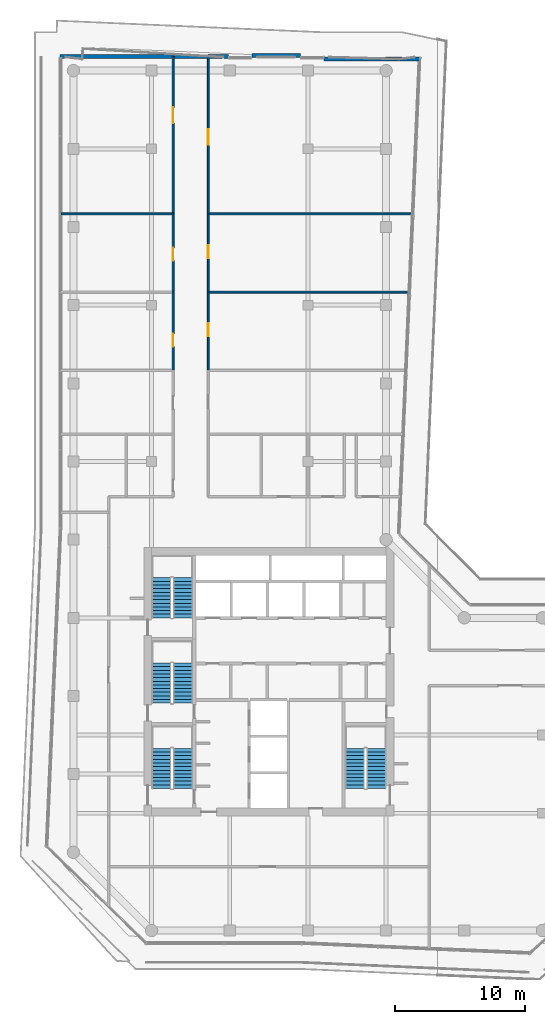
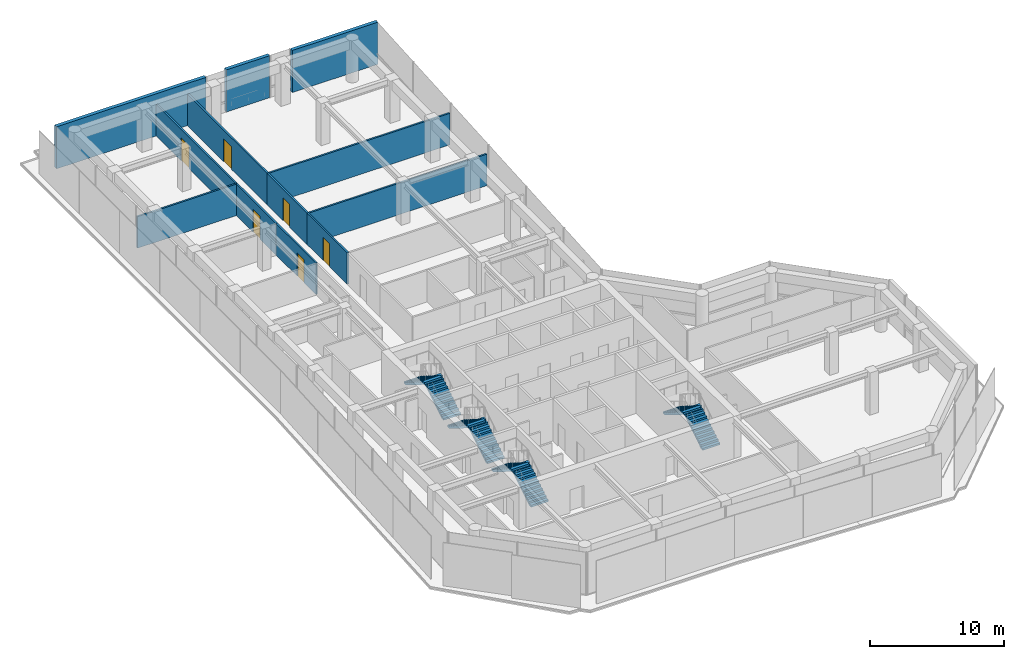
# One storey, part 19 of 21: 12 walls, 8 stair flights, 6 doors, 6 openings, 4 elements without a shape of their own.
"""IFC4 building model written with IfcOpenShell, lengths in metres."""

from ifc_helpers import new_model, si_unit, direction, frame, frame_2d, origin, place, context, subcontext, project, spatial, polyline, rectangle, outline, extrude, material, layer, layer_set, type_object, element, fill, aggregate, save


model = new_model("IFC4")

# Units and contexts
model_context = context("Model", 3, precision=1e-05, world=origin(), true_north=direction((0.0, 1.0)))
body_context = subcontext(model_context, "Body", "Model", "MODEL_VIEW")
ifc_project = project(units=[si_unit("LENGTHUNIT", "METRE"), si_unit("AREAUNIT", "SQUARE_METRE"), si_unit("VOLUMEUNIT", "CUBIC_METRE"), si_unit("PLANEANGLEUNIT", "RADIAN"), si_unit("MASSUNIT", "GRAM", prefix="KILO")], contexts=[model_context])

# Site, building, storey
site_placement = place(None, origin())
site = spatial("IfcSite", under=ifc_project, at=site_placement, CompositionType="ELEMENT")
building_placement = place(site_placement, origin())
building = spatial("IfcBuilding", under=site, at=building_placement, Name="Welwitschia Terrace Campus", CompositionType="ELEMENT")
storey_placement = place(building_placement, frame((0.0, 0.0, 159.199951171875)))
storey = spatial("IfcBuildingStorey", under=building, at=storey_placement, Name="L35", CompositionType="ELEMENT", Elevation=159.199951171875)

# Wall
ifc_material_1 = material(Name="Gypsum board on steel studs", Category="steel")
ifc_layer_1 = layer(ifc_material_1, 0.14990234375)
ifc_layer_set_1 = layer_set([ifc_layer_1], Name="Gypsum board on steel studs")
wall_type_1 = type_object("IfcWallType", Name="Corridor partition 150 EI 30", PredefinedType="PARTITIONING", material=ifc_layer_set_1)
wall_1_placement = place(storey_placement, frame((-0.965087890625, 51.0, 0.0), z_axis=(0.0, 0.0, 1.0), x_axis=(1.0, 0.0, 0.0)))
element("IfcWall", 1, at=wall_1_placement, inside=storey, type_object=wall_type_1, Name="Partition", PredefinedType="PARTITIONING", context=body_context, shape_type="SweptSolid", body=[
    extrude(rectangle(XDim=8.614990234375, YDim=0.14990234375, at=frame_2d((4.3076171875, 0.0))), origin(), (0.0, 0.0, 1.0), 2.880126953125),
])

# Wall, opening, door
wall_2_placement = place(storey_placement, frame((7.64990234375, 39.0, 0.0), z_axis=(0.0, 0.0, 1.0), x_axis=(0.0, 1.0, 0.0)))
wall_2 = element("IfcWall", 2, at=wall_2_placement, inside=storey, type_object=wall_type_1, Name="Partition", PredefinedType="PARTITIONING", context=body_context, shape_type="SweptSolid", body=[
    extrude(rectangle(XDim=6.0, YDim=0.14990234375, at=frame_2d((3.0, 0.0))), origin(), (0.0, 0.0, 1.0), 2.880126953125),
])
opening_1_placement = place(wall_2_placement, frame((1.800048828125, 0.0, 0.0)))
opening_1 = element("IfcOpeningElement", 3, at=opening_1_placement, cuts=wall_2, Name="Opening DI10", PredefinedType="OPENING", context=body_context, shape_type="SweptSolid", body=[
    extrude(rectangle(XDim=1.0, YDim=2.10009765625, at=frame_2d((0.5, 1.050048828125))), frame((0.0, 0.0849609375, 0.0), z_axis=(0.0, -1.0, 0.0), x_axis=(1.0, 0.0, 0.0)), (0.0, 0.0, 1.0), 0.169921875),
])
ifc_material_2 = material(Name="Timber veneered door", Category="wood")
door_type_1 = type_object("IfcDoorType", Name="Interior door DI10", OperationType="NOTDEFINED", PredefinedType="DOOR", material=ifc_material_2)
door_1_placement = place(opening_1_placement, origin())
door_1 = element("IfcDoor", 4, at=door_1_placement, inside=storey, type_object=door_type_1, Name="Door L35 713", OperationType="SINGLE_SWING_RIGHT", OverallHeight=2.10009765625, OverallWidth=1.0, PredefinedType="DOOR", context=body_context, shape_type="SweptSolid", body=[
    extrude(rectangle(XDim=1.0, YDim=2.10009765625, at=frame_2d((0.5, 1.050048828125))), frame((0.0, 0.02490234375, 0.0), z_axis=(0.0, -1.0, 0.0), x_axis=(1.0, 0.0, 0.0)), (0.0, 0.0, 1.0), 0.050048828125),
])
fill(opening_1, door_1)

wall_3_placement = place(storey_placement, frame((7.64990234375, 45.0, 0.0), z_axis=(0.0, 0.0, 1.0), x_axis=(0.0, 1.0, 0.0)))
wall_3 = element("IfcWall", 5, at=wall_3_placement, inside=storey, type_object=wall_type_1, Name="Partition", PredefinedType="PARTITIONING", context=body_context, shape_type="SweptSolid", body=[
    extrude(rectangle(XDim=6.0, YDim=0.14990234375, at=frame_2d((3.0, 0.0))), origin(), (0.0, 0.0, 1.0), 2.880126953125),
])
opening_2_placement = place(wall_3_placement, frame((2.39990234375, 0.0, 0.0)))
opening_2 = element("IfcOpeningElement", 6, at=opening_2_placement, cuts=wall_3, Name="Opening DI10", PredefinedType="OPENING", context=body_context, shape_type="SweptSolid", body=[
    extrude(rectangle(XDim=1.0, YDim=2.10009765625, at=frame_2d((0.5, 1.050048828125))), frame((0.0, 0.0849609375, 0.0), z_axis=(0.0, -1.0, 0.0), x_axis=(1.0, 0.0, 0.0)), (0.0, 0.0, 1.0), 0.169921875),
])
door_2_placement = place(opening_2_placement, origin())
door_2 = element("IfcDoor", 7, at=door_2_placement, inside=storey, type_object=door_type_1, Name="Door L35 714", OperationType="SINGLE_SWING_LEFT", OverallHeight=2.10009765625, OverallWidth=1.0, PredefinedType="DOOR", context=body_context, shape_type="SweptSolid", body=[
    extrude(rectangle(XDim=1.0, YDim=2.10009765625, at=frame_2d((0.5, 1.050048828125))), frame((0.0, 0.02490234375, 0.0), z_axis=(0.0, -1.0, 0.0), x_axis=(1.0, 0.0, 0.0)), (0.0, 0.0, 1.0), 0.050048828125),
])
fill(opening_2, door_2)

wall_4_placement = place(storey_placement, frame((7.64990234375, 51.0, 0.0), z_axis=(0.0, 0.0, 1.0), x_axis=(0.0, 1.0, 0.0)))
wall_4 = element("IfcWall", 8, at=wall_4_placement, inside=storey, type_object=wall_type_1, Name="Partition", PredefinedType="PARTITIONING", context=body_context, shape_type="SweptSolid", body=[
    extrude(rectangle(XDim=12.090087890625, YDim=0.14990234375, at=frame_2d((6.044921875, 0.0))), origin(), (0.0, 0.0, 1.0), 2.880126953125),
])
opening_3_placement = place(wall_4_placement, frame((6.97998046875, 0.0, 0.0)))
opening_3 = element("IfcOpeningElement", 9, at=opening_3_placement, cuts=wall_4, Name="Opening DI12", PredefinedType="OPENING", context=body_context, shape_type="SweptSolid", body=[
    extrude(rectangle(XDim=1.199951171875, YDim=2.10009765625, at=frame_2d((0.60009765625, 1.050048828125))), frame((0.0, 0.0849609375, 0.0), z_axis=(0.0, -1.0, 0.0), x_axis=(1.0, 0.0, 0.0)), (0.0, 0.0, 1.0), 0.169921875),
])
ifc_material_3 = material(Name="Timber veneered door", Category="wood")
door_type_2 = type_object("IfcDoorType", Name="Interior door DI12", OperationType="NOTDEFINED", PredefinedType="DOOR", material=ifc_material_3)
door_3_placement = place(opening_3_placement, origin())
door_3 = element("IfcDoor", 10, at=door_3_placement, inside=storey, type_object=door_type_2, Name="Door L35 715", OperationType="SINGLE_SWING_RIGHT", OverallHeight=2.10009765625, OverallWidth=1.199951171875, PredefinedType="DOOR", context=body_context, shape_type="SweptSolid", body=[
    extrude(rectangle(XDim=1.199951171875, YDim=2.10009765625, at=frame_2d((0.60009765625, 1.050048828125))), frame((0.0, 0.02490234375, 0.0), z_axis=(0.0, -1.0, 0.0), x_axis=(1.0, 0.0, 0.0)), (0.0, 0.0, 1.0), 0.050048828125),
])
fill(opening_3, door_3)

wall_5_placement = place(storey_placement, frame((10.35009765625, 45.0, 0.0), z_axis=(0.0, 0.0, 1.0), x_axis=(0.0, -1.0, 0.0)))
wall_5 = element("IfcWall", 11, at=wall_5_placement, inside=storey, type_object=wall_type_1, Name="Partition", PredefinedType="PARTITIONING", context=body_context, shape_type="SweptSolid", body=[
    extrude(rectangle(XDim=6.0, YDim=0.14990234375, at=frame_2d((3.0, 0.0))), origin(), (0.0, 0.0, 1.0), 2.880126953125),
])
opening_4_placement = place(wall_5_placement, frame((2.39990234375, 0.0, 0.0)))
opening_4 = element("IfcOpeningElement", 12, at=opening_4_placement, cuts=wall_5, Name="Opening DI10", PredefinedType="OPENING", context=body_context, shape_type="SweptSolid", body=[
    extrude(rectangle(XDim=1.0, YDim=2.10009765625, at=frame_2d((0.5, 1.050048828125))), frame((0.0, 0.0849609375, 0.0), z_axis=(0.0, -1.0, 0.0), x_axis=(1.0, 0.0, 0.0)), (0.0, 0.0, 1.0), 0.169921875),
])
door_4_placement = place(opening_4_placement, origin())
door_4 = element("IfcDoor", 13, at=door_4_placement, inside=storey, type_object=door_type_1, Name="Door L35 717", OperationType="SINGLE_SWING_RIGHT", OverallHeight=2.10009765625, OverallWidth=1.0, PredefinedType="DOOR", context=body_context, shape_type="SweptSolid", body=[
    extrude(rectangle(XDim=1.0, YDim=2.10009765625, at=frame_2d((0.5, 1.050048828125))), frame((0.0, 0.02490234375, 0.0), z_axis=(0.0, -1.0, 0.0), x_axis=(1.0, 0.0, 0.0)), (0.0, 0.0, 1.0), 0.050048828125),
])
fill(opening_4, door_4)

# Wall
wall_6_placement = place(storey_placement, frame((10.35009765625, 45.0, 0.0), z_axis=(0.0, 0.0, 1.0), x_axis=(1.0, 0.0, 0.0)))
element("IfcWall", 14, at=wall_6_placement, inside=storey, type_object=wall_type_1, Name="Partition", PredefinedType="PARTITIONING", context=body_context, shape_type="SweptSolid", body=[
    extrude(rectangle(XDim=15.449951171875, YDim=0.14990234375, at=frame_2d((7.72509765625, 0.0))), origin(), (0.0, 0.0, 1.0), 2.880126953125),
])

# Wall, opening, door
wall_7_placement = place(storey_placement, frame((10.35009765625, 51.0, 0.0), z_axis=(0.0, 0.0, 1.0), x_axis=(0.0, -1.0, 0.0)))
wall_7 = element("IfcWall", 15, at=wall_7_placement, inside=storey, type_object=wall_type_1, Name="Partition", PredefinedType="PARTITIONING", context=body_context, shape_type="SweptSolid", body=[
    extrude(rectangle(XDim=6.0, YDim=0.14990234375, at=frame_2d((3.0, 0.0))), origin(), (0.0, 0.0, 1.0), 2.880126953125),
])
opening_5_placement = place(wall_7_placement, frame((2.39990234375, 0.0, 0.0)))
opening_5 = element("IfcOpeningElement", 16, at=opening_5_placement, cuts=wall_7, Name="Opening DI10", PredefinedType="OPENING", context=body_context, shape_type="SweptSolid", body=[
    extrude(rectangle(XDim=1.0, YDim=2.10009765625, at=frame_2d((0.5, 1.050048828125))), frame((0.0, 0.0849609375, 0.0), z_axis=(0.0, -1.0, 0.0), x_axis=(1.0, 0.0, 0.0)), (0.0, 0.0, 1.0), 0.169921875),
])
door_5_placement = place(opening_5_placement, origin())
door_5 = element("IfcDoor", 17, at=door_5_placement, inside=storey, type_object=door_type_1, Name="Door L35 718", OperationType="SINGLE_SWING_LEFT", OverallHeight=2.10009765625, OverallWidth=1.0, PredefinedType="DOOR", context=body_context, shape_type="SweptSolid", body=[
    extrude(rectangle(XDim=1.0, YDim=2.10009765625, at=frame_2d((0.5, 1.050048828125))), frame((0.0, 0.02490234375, 0.0), z_axis=(0.0, -1.0, 0.0), x_axis=(1.0, 0.0, 0.0)), (0.0, 0.0, 1.0), 0.050048828125),
])
fill(opening_5, door_5)

# Wall
wall_8_placement = place(storey_placement, frame((10.35009765625, 51.0, 0.0), z_axis=(0.0, 0.0, 1.0), x_axis=(1.0, 0.0, 0.0)))
element("IfcWall", 18, at=wall_8_placement, inside=storey, type_object=wall_type_1, Name="Partition", PredefinedType="PARTITIONING", context=body_context, shape_type="SweptSolid", body=[
    extrude(rectangle(XDim=15.7099609375, YDim=0.14990234375, at=frame_2d((7.85498046875, 0.0))), origin(), (0.0, 0.0, 1.0), 2.880126953125),
])

# Wall, opening, door
wall_9_placement = place(storey_placement, frame((10.35009765625, 63.090087890625, 0.0), z_axis=(0.0, 0.0, 1.0), x_axis=(0.0, -1.0, 0.0)))
wall_9 = element("IfcWall", 19, at=wall_9_placement, inside=storey, type_object=wall_type_1, Name="Partition", PredefinedType="PARTITIONING", context=body_context, shape_type="SweptSolid", body=[
    extrude(rectangle(XDim=12.090087890625, YDim=0.14990234375, at=frame_2d((6.044921875, 0.0))), origin(), (0.0, 0.0, 1.0), 2.880126953125),
])
opening_6_placement = place(wall_9_placement, frame((5.590087890625, 0.0, 0.0)))
opening_6 = element("IfcOpeningElement", 20, at=opening_6_placement, cuts=wall_9, Name="Opening DI12", PredefinedType="OPENING", context=body_context, shape_type="SweptSolid", body=[
    extrude(rectangle(XDim=1.199951171875, YDim=2.10009765625, at=frame_2d((0.60009765625, 1.050048828125))), frame((0.0, 0.0849609375, 0.0), z_axis=(0.0, -1.0, 0.0), x_axis=(1.0, 0.0, 0.0)), (0.0, 0.0, 1.0), 0.169921875),
])
door_6_placement = place(opening_6_placement, origin())
door_6 = element("IfcDoor", 21, at=door_6_placement, inside=storey, type_object=door_type_2, Name="Door L35 719", OperationType="SINGLE_SWING_RIGHT", OverallHeight=2.10009765625, OverallWidth=1.199951171875, PredefinedType="DOOR", context=body_context, shape_type="SweptSolid", body=[
    extrude(rectangle(XDim=1.199951171875, YDim=2.10009765625, at=frame_2d((0.60009765625, 1.050048828125))), frame((0.0, 0.02490234375, 0.0), z_axis=(0.0, -1.0, 0.0), x_axis=(1.0, 0.0, 0.0)), (0.0, 0.0, 1.0), 0.050048828125),
])
fill(opening_6, door_6)

# Walls
ifc_material_4 = material(Name="Concrete C40/50", Category="concrete")
ifc_layer_2 = layer(ifc_material_4, 0.300048828125)
ifc_layer_set_2 = layer_set([ifc_layer_2], Name="Concrete C40/50")
wall_type_2 = type_object("IfcWallType", Name="Mass wall 300", PredefinedType="SOLIDWALL", material=ifc_layer_set_2)
wall_10_placement = place(storey_placement, frame((26.633544921875, 62.8798828125, 0.0), z_axis=(0.0, 0.0, 1.0), x_axis=(-1.0, 0.0, 0.0)))
element("IfcWall", 22, at=wall_10_placement, inside=storey, type_object=wall_type_2, Name="Mass wall L35.10.0", PredefinedType="SOLIDWALL", context=body_context, shape_type="SweptSolid", body=[
    extrude(rectangle(XDim=7.39892578125, YDim=0.300048828125, at=frame_2d((3.699462890625, 0.0))), origin(), (0.0, 0.0, 1.0), 3.85009765625),
])
wall_11_placement = place(storey_placement, frame((17.4345703125, 63.14892578125, 0.0), z_axis=(0.0, 0.0, 1.0), x_axis=(-1.0, 0.0, 0.0)))
element("IfcWall", 23, at=wall_11_placement, inside=storey, type_object=wall_type_2, Name="Mass wall L35.10.1", PredefinedType="SOLIDWALL", context=body_context, shape_type="SweptSolid", body=[
    extrude(rectangle(XDim=3.732666015625, YDim=0.300048828125, at=frame_2d((1.8662109375, 0.0))), origin(), (0.0, 0.0, 1.0), 3.85009765625),
])
wall_12_placement = place(storey_placement, frame((11.90185546875, 63.078125, 0.0), z_axis=(0.0, 0.0, 1.0), x_axis=(-1.0, 0.0, 0.0)))
element("IfcWall", 24, at=wall_12_placement, inside=storey, type_object=wall_type_2, Name="Mass wall L35.10.2", PredefinedType="SOLIDWALL", context=body_context, shape_type="SweptSolid", body=[
    extrude(rectangle(XDim=12.931884765625, YDim=0.300048828125, at=frame_2d((6.4658203125, 0.0))), origin(), (0.0, 0.0, 1.0), 3.85009765625),
])

# Stair, stair flights
ifc_material_5 = material(Name="Concrete C40/50", Category="concrete")
stair_type = type_object("IfcStairType", Name="Stair 24R 175 W1500", PredefinedType="HALF_TURN_STAIR", material=ifc_material_5)
stair_1_placement = place(storey_placement, origin())
stair_1 = element("IfcStair", 25, at=stair_1_placement, inside=storey, type_object=stair_type, Name="L35 Exit stair S1", PredefinedType="HALF_TURN_STAIR")
ifc_material_6 = material(Name="Concrete C40/50", Category="concrete")
stair_flight_type = type_object("IfcStairFlightType", Name="Stair flight 24R 175 W1500", PredefinedType="STRAIGHT", material=ifc_material_6)
stair_flight_1_placement = place(storey_placement, frame((8.39990234375, 6.89990234375, 0.0), z_axis=(0.0, 0.0, 1.0), x_axis=(0.0, 1.0, 0.0)))
stair_flight_1 = element("IfcStairFlight", 26, at=stair_flight_1_placement, type_object=stair_flight_type, Name="S1 flight 1", NumberOfRisers=12, NumberOfTreads=11, PredefinedType="STRAIGHT", RiserHeight=0.175, TreadLength=0.28, context=body_context, shape_type="SweptSolid", body=[
    extrude(outline(polyline([(0.0, 0.0), (0.0, 0.175048828125), (0.280029296875, 0.175048828125), (0.280029296875, 0.35009765625), (0.56005859375, 0.35009765625), (0.56005859375, 0.52490234375), (0.840087890625, 0.52490234375), (0.840087890625, 0.699951171875), (1.1201171875, 0.699951171875), (1.1201171875, 0.875), (1.39990234375, 0.875), (1.39990234375, 1.050048828125), (1.679931640625, 1.050048828125), (1.679931640625, 1.22509765625), (1.9599609375, 1.22509765625), (1.9599609375, 1.39990234375), (2.239990234375, 1.39990234375), (2.239990234375, 1.574951171875), (2.52001953125, 1.574951171875), (2.52001953125, 1.75), (2.800048828125, 1.75), (2.800048828125, 1.925048828125), (3.080078125, 1.925048828125), (3.080078125, 2.10009765625), (3.080078125, 1.748291015625), (0.28271484375, 0.0), (0.0, 0.0)])), frame((0.0, 0.75, 0.0), z_axis=(0.0, -1.0, 0.0), x_axis=(1.0, 0.0, 0.0)), (0.0, 0.0, 1.0), 1.5),
])
stair_flight_2_placement = place(storey_placement, frame((6.75, 9.97998046875, 2.10009765625), z_axis=(0.0, 0.0, 1.0), x_axis=(0.0, -1.0, 0.0)))
stair_flight_2 = element("IfcStairFlight", 27, at=stair_flight_2_placement, type_object=stair_flight_type, Name="S1 flight 2", NumberOfRisers=12, NumberOfTreads=11, PredefinedType="STRAIGHT", RiserHeight=0.175, TreadLength=0.28, context=body_context, shape_type="SweptSolid", body=[
    extrude(outline(polyline([(0.0, 0.0), (0.0, 0.175048828125), (0.280029296875, 0.175048828125), (0.280029296875, 0.35009765625), (0.56005859375, 0.35009765625), (0.56005859375, 0.52490234375), (0.840087890625, 0.52490234375), (0.840087890625, 0.699951171875), (1.1201171875, 0.699951171875), (1.1201171875, 0.875), (1.39990234375, 0.875), (1.39990234375, 1.050048828125), (1.679931640625, 1.050048828125), (1.679931640625, 1.22509765625), (1.9599609375, 1.22509765625), (1.9599609375, 1.39990234375), (2.239990234375, 1.39990234375), (2.239990234375, 1.574951171875), (2.52001953125, 1.574951171875), (2.52001953125, 1.75), (2.800048828125, 1.75), (2.800048828125, 1.925048828125), (3.080078125, 1.925048828125), (3.080078125, 2.10009765625), (3.080078125, 1.748291015625), (0.28271484375, 0.0), (0.0, 0.0)])), frame((0.0, 0.75, 0.0), z_axis=(0.0, -1.0, 0.0), x_axis=(1.0, 0.0, 0.0)), (0.0, 0.0, 1.0), 1.5),
])
aggregate(stair_1, [stair_flight_1, stair_flight_2])

stair_2_placement = place(storey_placement, origin())
stair_2 = element("IfcStair", 28, at=stair_2_placement, inside=storey, type_object=stair_type, Name="L35 Exit stair S3", PredefinedType="HALF_TURN_STAIR")
stair_flight_3_placement = place(storey_placement, frame((8.39990234375, 13.449951171875, 0.0), z_axis=(0.0, 0.0, 1.0), x_axis=(0.0, 1.0, 0.0)))
stair_flight_3 = element("IfcStairFlight", 29, at=stair_flight_3_placement, type_object=stair_flight_type, Name="S3 flight 1", NumberOfRisers=12, NumberOfTreads=11, PredefinedType="STRAIGHT", RiserHeight=0.175, TreadLength=0.28, context=body_context, shape_type="SweptSolid", body=[
    extrude(outline(polyline([(0.0, 0.0), (0.0, 0.175048828125), (0.280029296875, 0.175048828125), (0.280029296875, 0.35009765625), (0.56005859375, 0.35009765625), (0.56005859375, 0.52490234375), (0.840087890625, 0.52490234375), (0.840087890625, 0.699951171875), (1.1201171875, 0.699951171875), (1.1201171875, 0.875), (1.39990234375, 0.875), (1.39990234375, 1.050048828125), (1.679931640625, 1.050048828125), (1.679931640625, 1.22509765625), (1.9599609375, 1.22509765625), (1.9599609375, 1.39990234375), (2.239990234375, 1.39990234375), (2.239990234375, 1.574951171875), (2.52001953125, 1.574951171875), (2.52001953125, 1.75), (2.800048828125, 1.75), (2.800048828125, 1.925048828125), (3.080078125, 1.925048828125), (3.080078125, 2.10009765625), (3.080078125, 1.748291015625), (0.28271484375, 0.0), (0.0, 0.0)])), frame((0.0, 0.75, 0.0), z_axis=(0.0, -1.0, 0.0), x_axis=(1.0, 0.0, 0.0)), (0.0, 0.0, 1.0), 1.5),
])
stair_flight_4_placement = place(storey_placement, frame((6.75, 16.530029296875, 2.10009765625), z_axis=(0.0, 0.0, 1.0), x_axis=(0.0, -1.0, 0.0)))
stair_flight_4 = element("IfcStairFlight", 30, at=stair_flight_4_placement, type_object=stair_flight_type, Name="S3 flight 2", NumberOfRisers=12, NumberOfTreads=11, PredefinedType="STRAIGHT", RiserHeight=0.175, TreadLength=0.28, context=body_context, shape_type="SweptSolid", body=[
    extrude(outline(polyline([(0.0, 0.0), (0.0, 0.175048828125), (0.280029296875, 0.175048828125), (0.280029296875, 0.35009765625), (0.56005859375, 0.35009765625), (0.56005859375, 0.52490234375), (0.840087890625, 0.52490234375), (0.840087890625, 0.699951171875), (1.1201171875, 0.699951171875), (1.1201171875, 0.875), (1.39990234375, 0.875), (1.39990234375, 1.050048828125), (1.679931640625, 1.050048828125), (1.679931640625, 1.22509765625), (1.9599609375, 1.22509765625), (1.9599609375, 1.39990234375), (2.239990234375, 1.39990234375), (2.239990234375, 1.574951171875), (2.52001953125, 1.574951171875), (2.52001953125, 1.75), (2.800048828125, 1.75), (2.800048828125, 1.925048828125), (3.080078125, 1.925048828125), (3.080078125, 2.10009765625), (3.080078125, 1.748291015625), (0.28271484375, 0.0), (0.0, 0.0)])), frame((0.0, 0.75, 0.0), z_axis=(0.0, -1.0, 0.0), x_axis=(1.0, 0.0, 0.0)), (0.0, 0.0, 1.0), 1.5),
])
aggregate(stair_2, [stair_flight_3, stair_flight_4])

stair_3_placement = place(storey_placement, origin())
stair_3 = element("IfcStair", 31, at=stair_3_placement, inside=storey, type_object=stair_type, Name="L35 Exit stair S4", PredefinedType="HALF_TURN_STAIR")
stair_flight_5_placement = place(storey_placement, frame((8.39990234375, 20.0, 0.0), z_axis=(0.0, 0.0, 1.0), x_axis=(0.0, 1.0, 0.0)))
stair_flight_5 = element("IfcStairFlight", 32, at=stair_flight_5_placement, type_object=stair_flight_type, Name="S4 flight 1", NumberOfRisers=12, NumberOfTreads=11, PredefinedType="STRAIGHT", RiserHeight=0.175, TreadLength=0.28, context=body_context, shape_type="SweptSolid", body=[
    extrude(outline(polyline([(0.0, 0.0), (0.0, 0.175048828125), (0.280029296875, 0.175048828125), (0.280029296875, 0.35009765625), (0.56005859375, 0.35009765625), (0.56005859375, 0.52490234375), (0.840087890625, 0.52490234375), (0.840087890625, 0.699951171875), (1.1201171875, 0.699951171875), (1.1201171875, 0.875), (1.39990234375, 0.875), (1.39990234375, 1.050048828125), (1.679931640625, 1.050048828125), (1.679931640625, 1.22509765625), (1.9599609375, 1.22509765625), (1.9599609375, 1.39990234375), (2.239990234375, 1.39990234375), (2.239990234375, 1.574951171875), (2.52001953125, 1.574951171875), (2.52001953125, 1.75), (2.800048828125, 1.75), (2.800048828125, 1.925048828125), (3.080078125, 1.925048828125), (3.080078125, 2.10009765625), (3.080078125, 1.748291015625), (0.28271484375, 0.0), (0.0, 0.0)])), frame((0.0, 0.75, 0.0), z_axis=(0.0, -1.0, 0.0), x_axis=(1.0, 0.0, 0.0)), (0.0, 0.0, 1.0), 1.5),
])
stair_flight_6_placement = place(storey_placement, frame((6.75, 23.080078125, 2.10009765625), z_axis=(0.0, 0.0, 1.0), x_axis=(0.0, -1.0, 0.0)))
stair_flight_6 = element("IfcStairFlight", 33, at=stair_flight_6_placement, type_object=stair_flight_type, Name="S4 flight 2", NumberOfRisers=12, NumberOfTreads=11, PredefinedType="STRAIGHT", RiserHeight=0.175, TreadLength=0.28, context=body_context, shape_type="SweptSolid", body=[
    extrude(outline(polyline([(0.0, 0.0), (0.0, 0.175048828125), (0.280029296875, 0.175048828125), (0.280029296875, 0.35009765625), (0.56005859375, 0.35009765625), (0.56005859375, 0.52490234375), (0.840087890625, 0.52490234375), (0.840087890625, 0.699951171875), (1.1201171875, 0.699951171875), (1.1201171875, 0.875), (1.39990234375, 0.875), (1.39990234375, 1.050048828125), (1.679931640625, 1.050048828125), (1.679931640625, 1.22509765625), (1.9599609375, 1.22509765625), (1.9599609375, 1.39990234375), (2.239990234375, 1.39990234375), (2.239990234375, 1.574951171875), (2.52001953125, 1.574951171875), (2.52001953125, 1.75), (2.800048828125, 1.75), (2.800048828125, 1.925048828125), (3.080078125, 1.925048828125), (3.080078125, 2.10009765625), (3.080078125, 1.748291015625), (0.28271484375, 0.0), (0.0, 0.0)])), frame((0.0, 0.75, 0.0), z_axis=(0.0, -1.0, 0.0), x_axis=(1.0, 0.0, 0.0)), (0.0, 0.0, 1.0), 1.5),
])
aggregate(stair_3, [stair_flight_5, stair_flight_6])

stair_4_placement = place(storey_placement, origin())
stair_4 = element("IfcStair", 34, at=stair_4_placement, inside=storey, type_object=stair_type, Name="L35 Exit stair S2", PredefinedType="HALF_TURN_STAIR")
stair_flight_7_placement = place(storey_placement, frame((23.25, 6.89990234375, 0.0), z_axis=(0.0, 0.0, 1.0), x_axis=(0.0, 1.0, 0.0)))
stair_flight_7 = element("IfcStairFlight", 35, at=stair_flight_7_placement, type_object=stair_flight_type, Name="S2 flight 1", NumberOfRisers=12, NumberOfTreads=11, PredefinedType="STRAIGHT", RiserHeight=0.175, TreadLength=0.28, context=body_context, shape_type="SweptSolid", body=[
    extrude(outline(polyline([(0.0, 0.0), (0.0, 0.175048828125), (0.280029296875, 0.175048828125), (0.280029296875, 0.35009765625), (0.56005859375, 0.35009765625), (0.56005859375, 0.52490234375), (0.840087890625, 0.52490234375), (0.840087890625, 0.699951171875), (1.1201171875, 0.699951171875), (1.1201171875, 0.875), (1.39990234375, 0.875), (1.39990234375, 1.050048828125), (1.679931640625, 1.050048828125), (1.679931640625, 1.22509765625), (1.9599609375, 1.22509765625), (1.9599609375, 1.39990234375), (2.239990234375, 1.39990234375), (2.239990234375, 1.574951171875), (2.52001953125, 1.574951171875), (2.52001953125, 1.75), (2.800048828125, 1.75), (2.800048828125, 1.925048828125), (3.080078125, 1.925048828125), (3.080078125, 2.10009765625), (3.080078125, 1.748291015625), (0.28271484375, 0.0), (0.0, 0.0)])), frame((0.0, 0.75, 0.0), z_axis=(0.0, -1.0, 0.0), x_axis=(1.0, 0.0, 0.0)), (0.0, 0.0, 1.0), 1.5),
])
stair_flight_8_placement = place(storey_placement, frame((21.60009765625, 9.97998046875, 2.10009765625), z_axis=(0.0, 0.0, 1.0), x_axis=(0.0, -1.0, 0.0)))
stair_flight_8 = element("IfcStairFlight", 36, at=stair_flight_8_placement, type_object=stair_flight_type, Name="S2 flight 2", NumberOfRisers=12, NumberOfTreads=11, PredefinedType="STRAIGHT", RiserHeight=0.175, TreadLength=0.28, context=body_context, shape_type="SweptSolid", body=[
    extrude(outline(polyline([(0.0, 0.0), (0.0, 0.175048828125), (0.280029296875, 0.175048828125), (0.280029296875, 0.35009765625), (0.56005859375, 0.35009765625), (0.56005859375, 0.52490234375), (0.840087890625, 0.52490234375), (0.840087890625, 0.699951171875), (1.1201171875, 0.699951171875), (1.1201171875, 0.875), (1.39990234375, 0.875), (1.39990234375, 1.050048828125), (1.679931640625, 1.050048828125), (1.679931640625, 1.22509765625), (1.9599609375, 1.22509765625), (1.9599609375, 1.39990234375), (2.239990234375, 1.39990234375), (2.239990234375, 1.574951171875), (2.52001953125, 1.574951171875), (2.52001953125, 1.75), (2.800048828125, 1.75), (2.800048828125, 1.925048828125), (3.080078125, 1.925048828125), (3.080078125, 2.10009765625), (3.080078125, 1.748291015625), (0.28271484375, 0.0), (0.0, 0.0)])), frame((0.0, 0.75, 0.0), z_axis=(0.0, -1.0, 0.0), x_axis=(1.0, 0.0, 0.0)), (0.0, 0.0, 1.0), 1.5),
])
aggregate(stair_4, [stair_flight_7, stair_flight_8])

save(model, "model.ifc")
